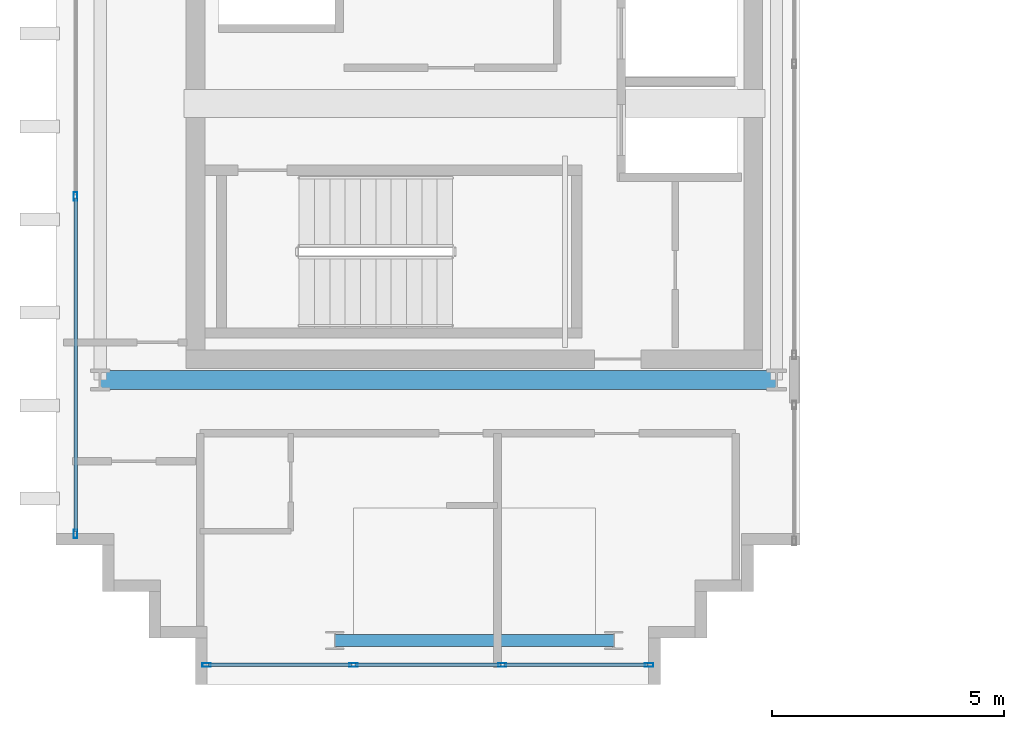
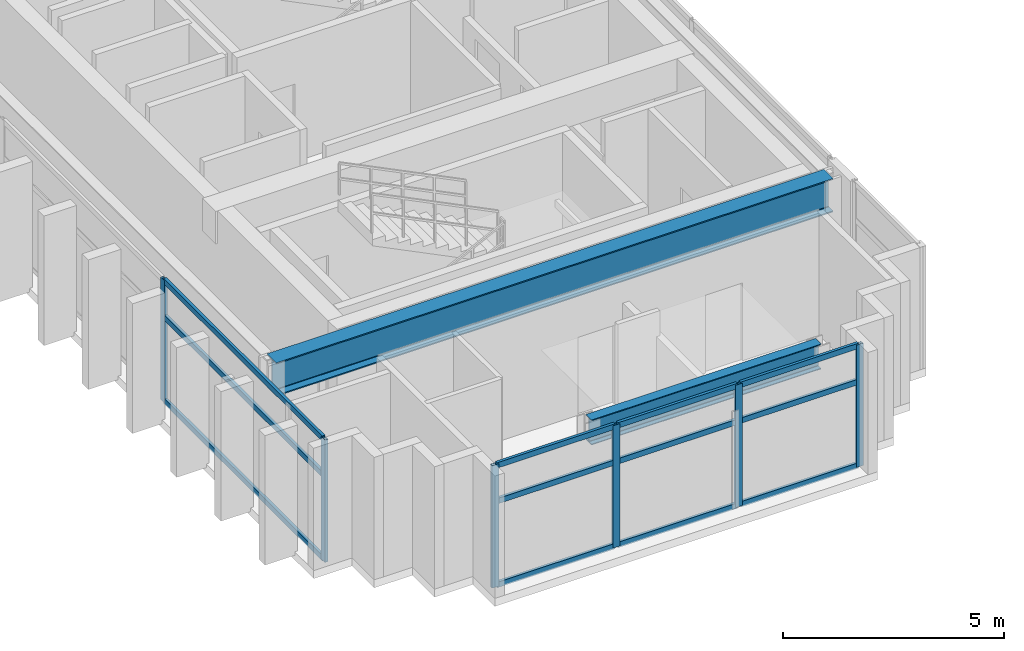
# One storey, part 2 of 25: 18 members, 2 beams, 2 elements without a shape of their own.
"""IFC4 building model written with IfcOpenShell, lengths in metres."""

from ifc_helpers import new_model, si_unit, direction, frame, origin, origin_2d, place, context, subcontext, project, spatial, hollow_rectangle, i_section, extrude, source, transform, mapped, material, layer, layer_set, material_profile, profile_set, type_object, element, aggregate, save


model = new_model("IFC4")

# Units and contexts
model_context = context("Model", 3, precision=1e-05, world=origin(), true_north=direction((0.0, 1.0)))
body_context = subcontext(model_context, "Body", "Model", "MODEL_VIEW")
ifc_project = project(units=[si_unit("LENGTHUNIT", "METRE"), si_unit("AREAUNIT", "SQUARE_METRE"), si_unit("VOLUMEUNIT", "CUBIC_METRE"), si_unit("PLANEANGLEUNIT", "RADIAN"), si_unit("MASSUNIT", "GRAM", prefix="KILO")], contexts=[model_context])

# Site, building, storey
site_placement = place(None, origin())
site = spatial("IfcSite", under=ifc_project, at=site_placement, CompositionType="ELEMENT")
building_placement = place(site_placement, origin())
building = spatial("IfcBuilding", under=site, at=building_placement, Name="Ocotamira Hotel", CompositionType="ELEMENT")
storey_placement = place(building_placement, frame((0.0, 0.0, 261.60009765625)))
storey = spatial("IfcBuildingStorey", under=building, at=storey_placement, Name="L66", CompositionType="ELEMENT", Elevation=261.60009765625)

# Beams
ifc_material_1 = material(Name="Steel ASTM A992 Grade 50", Category="steel")
ifc_material_profile_1 = material_profile(ifc_material_1, i_section(OverallWidth=0.41796875, OverallDepth=0.927001953125, WebThickness=0.019287109375, FlangeThickness=0.031982421875, FilletRadius=0.02392578125, at=origin_2d()), Name="W36X231")
ifc_profile_set_1 = profile_set([ifc_material_profile_1], Name="Steel ASTM A992 Grade 50")
beam_type_1 = type_object("IfcBeamType", Name="BM-GIRD-W36X231", PredefinedType="BEAM", material=ifc_profile_set_1)
shared_shape_1 = source(origin(), body_context, "Body", "SweptSolid", [
    extrude(i_section(OverallWidth=0.41796875, OverallDepth=0.927001953125, WebThickness=0.019287109375, FlangeThickness=0.031982421875, FilletRadius=0.02392578125, at=origin_2d()), origin(), (0.0, 0.0, 1.0), 14.550048828125),
])
beam_1_placement = place(storey_placement, frame((8.949951171875, 14.550048828125, 2.91650390625), z_axis=(1.0, 0.0, 0.0), x_axis=(0.0, 1.0, 0.0)))
element("IfcBeam", 1, at=beam_1_placement, inside=storey, type_object=beam_type_1, Name="L66 Girder Y14.55 X8.95-23.5", PredefinedType="BEAM", context=body_context, shape_type="MappedRepresentation", body=[
    mapped(shared_shape_1, transform((0.0, 0.0, 0.0), scale=1.0)),
])
ifc_material_profile_2 = material_profile(ifc_material_1, i_section(OverallWidth=0.256103515625, OverallDepth=0.693115234375, WebThickness=0.014404296875, FlangeThickness=0.023681640625, FilletRadius=0.01611328125, at=origin_2d()), Name="W27X114")
ifc_profile_set_2 = profile_set([ifc_material_profile_2], Name="Steel ASTM A992 Grade 50")
beam_type_2 = type_object("IfcBeamType", Name="BM-PRIM-W27X114", PredefinedType="BEAM", material=ifc_profile_set_2)
shared_shape_2 = source(origin(), body_context, "Body", "SweptSolid", [
    extrude(i_section(OverallWidth=0.256103515625, OverallDepth=0.693115234375, WebThickness=0.014404296875, FlangeThickness=0.023681640625, FilletRadius=0.01611328125, at=origin_2d()), origin(), (0.0, 0.0, 1.0), 6.0),
])
beam_2_placement = place(storey_placement, frame((14.0, 8.949951171875, 3.033447265625), z_axis=(1.0, 0.0, 0.0), x_axis=(0.0, 1.0, 0.0)))
element("IfcBeam", 2, at=beam_2_placement, inside=storey, type_object=beam_type_2, Name="L66 Girder Y8.95 X14-20", PredefinedType="BEAM", context=body_context, shape_type="MappedRepresentation", body=[
    mapped(shared_shape_2, transform((0.0, 0.0, 0.0), scale=1.0)),
])

# Curtain wall, members
ifc_material_2 = material(Name="Anodised pale-metal aluminium and solar glass", Category="aluminium")
ifc_layer = layer(ifc_material_2, 0.2099609375)
ifc_layer_set = layer_set([ifc_layer], Name="Anodised pale-metal aluminium and solar glass")
curtain_wall_type = type_object("IfcCurtainWallType", Name="CW-SYS7-PEAK", PredefinedType="NOTDEFINED", material=ifc_layer_set)
curtain_wall_1_placement = place(storey_placement, origin())
curtain_wall_1 = element("IfcCurtainWall", 3, at=curtain_wall_1_placement, inside=storey, type_object=curtain_wall_type, Name="L66 Curtain Wall CW-7 CW-L66-WS", PredefinedType="NOTDEFINED")
ifc_material_3 = material(Name="Anodised pale-metal aluminium 6063-T6", Category="aluminium")
ifc_material_profile_3 = material_profile(ifc_material_3, hollow_rectangle(XDim=0.080078125, YDim=0.179931640625, WallThickness=0.006103515625, at=origin_2d()), Name="HSS180X80X6")
ifc_profile_set_3 = profile_set([ifc_material_profile_3], Name="Anodised pale-metal aluminium 6063-T6")
member_type_1 = type_object("IfcMemberType", Name="CWM-180X75", PredefinedType="MULLION", material=ifc_profile_set_3)
shared_shape_3 = source(origin(), body_context, "Body", "SweptSolid", [
    extrude(hollow_rectangle(XDim=0.080078125, YDim=0.179931640625, WallThickness=0.006103515625, at=origin_2d()), origin(), (0.0, 0.0, 1.0), 3.3798828125),
])
member_1_placement = place(storey_placement, frame((11.239990234375, 8.419921875, 0.0), z_axis=(0.0, 0.0, 1.0), x_axis=(0.0, 1.0, 0.0)))
member_1 = element("IfcMember", 4, at=member_1_placement, type_object=member_type_1, Name="CW-7 mullion 1", PredefinedType="MULLION", context=body_context, shape_type="MappedRepresentation", body=[
    mapped(shared_shape_3, transform((0.0, 0.0, 0.0), scale=1.0)),
])
member_2_placement = place(storey_placement, frame((14.39990234375, 8.419921875, 0.0), z_axis=(0.0, 0.0, 1.0), x_axis=(0.0, 1.0, 0.0)))
member_2 = element("IfcMember", 5, at=member_2_placement, type_object=member_type_1, Name="CW-7 mullion 2", PredefinedType="MULLION", context=body_context, shape_type="MappedRepresentation", body=[
    mapped(shared_shape_3, transform((0.0, 0.0, 0.0), scale=1.0)),
])
member_3_placement = place(storey_placement, frame((17.60009765625, 8.419921875, 0.0), z_axis=(0.0, 0.0, 1.0), x_axis=(0.0, 1.0, 0.0)))
member_3 = element("IfcMember", 6, at=member_3_placement, type_object=member_type_1, Name="CW-7 mullion 3", PredefinedType="MULLION", context=body_context, shape_type="MappedRepresentation", body=[
    mapped(shared_shape_3, transform((0.0, 0.0, 0.0), scale=1.0)),
])
member_4_placement = place(storey_placement, frame((20.760009765625, 8.419921875, 0.0), z_axis=(0.0, 0.0, 1.0), x_axis=(0.0, 1.0, 0.0)))
member_4 = element("IfcMember", 7, at=member_4_placement, type_object=member_type_1, Name="CW-7 mullion 4", PredefinedType="MULLION", context=body_context, shape_type="MappedRepresentation", body=[
    mapped(shared_shape_3, transform((0.0, 0.0, 0.0), scale=1.0)),
])

curtain_wall_2_placement = place(storey_placement, origin())
curtain_wall_2 = element("IfcCurtainWall", 8, at=curtain_wall_2_placement, inside=storey, type_object=curtain_wall_type, Name="L66 Curtain Wall CW-7 CW-L66-WO1", PredefinedType="NOTDEFINED")
member_5_placement = place(storey_placement, frame((8.419921875, 11.239990234375, 0.0), z_axis=(0.0, 0.0, 1.0), x_axis=(-1.0, 0.0, 0.0)))
member_5 = element("IfcMember", 9, at=member_5_placement, type_object=member_type_1, Name="CW-7 mullion 1", PredefinedType="MULLION", context=body_context, shape_type="MappedRepresentation", body=[
    mapped(shared_shape_3, transform((0.0, 0.0, 0.0), scale=1.0)),
])
member_6_placement = place(storey_placement, frame((8.419921875, 18.5, 0.0), z_axis=(0.0, 0.0, 1.0), x_axis=(-1.0, 0.0, 0.0)))
member_6 = element("IfcMember", 10, at=member_6_placement, type_object=member_type_1, Name="CW-7 mullion 2", PredefinedType="MULLION", context=body_context, shape_type="MappedRepresentation", body=[
    mapped(shared_shape_3, transform((0.0, 0.0, 0.0), scale=1.0)),
])

# Member
ifc_material_profile_4 = material_profile(ifc_material_3, hollow_rectangle(XDim=0.074951171875, YDim=0.14990234375, WallThickness=0.006103515625, at=origin_2d()), Name="HSS150X75X6")
ifc_profile_set_4 = profile_set([ifc_material_profile_4], Name="Anodised pale-metal aluminium 6063-T6")
member_type_2 = type_object("IfcMemberType", Name="CWT-150X75", PredefinedType="USERDEFINED", material=ifc_profile_set_4)
shared_shape_4 = source(origin(), body_context, "Body", "SweptSolid", [
    extrude(hollow_rectangle(XDim=0.074951171875, YDim=0.14990234375, WallThickness=0.006103515625, at=origin_2d()), origin(), (0.0, 0.0, 1.0), 3.080078125),
])
member_7_placement = place(storey_placement, frame((11.280029296875, 8.419921875, 0.037353515625), z_axis=(1.0, 0.0, 0.0), x_axis=(0.0, 1.0, 0.0)))
member_7 = element("IfcMember", 11, at=member_7_placement, type_object=member_type_2, Name="CW-7 transom 1.1", ObjectType="TRANSOM", PredefinedType="USERDEFINED", context=body_context, shape_type="MappedRepresentation", body=[
    mapped(shared_shape_4, transform((0.0, 0.0, 0.0), scale=1.0)),
])

member_8_placement = place(storey_placement, frame((11.280029296875, 8.419921875, 2.349853515625), z_axis=(1.0, 0.0, 0.0), x_axis=(0.0, 1.0, 0.0)))
member_8 = element("IfcMember", 12, at=member_8_placement, type_object=member_type_2, Name="CW-7 transom 1.2", ObjectType="TRANSOM", PredefinedType="USERDEFINED", context=body_context, shape_type="MappedRepresentation", body=[
    mapped(shared_shape_4, transform((0.0, 0.0, 0.0), scale=1.0)),
])

member_9_placement = place(storey_placement, frame((11.280029296875, 8.419921875, 3.34228515625), z_axis=(1.0, 0.0, 0.0), x_axis=(0.0, 1.0, 0.0)))
member_9 = element("IfcMember", 13, at=member_9_placement, type_object=member_type_2, Name="CW-7 transom 1.3", ObjectType="TRANSOM", PredefinedType="USERDEFINED", context=body_context, shape_type="MappedRepresentation", body=[
    mapped(shared_shape_4, transform((0.0, 0.0, 0.0), scale=1.0)),
])

member_10_placement = place(storey_placement, frame((17.639892578125, 8.419921875, 0.037353515625), z_axis=(1.0, 0.0, 0.0), x_axis=(0.0, 1.0, 0.0)))
member_10 = element("IfcMember", 14, at=member_10_placement, type_object=member_type_2, Name="CW-7 transom 3.1", ObjectType="TRANSOM", PredefinedType="USERDEFINED", context=body_context, shape_type="MappedRepresentation", body=[
    mapped(shared_shape_4, transform((0.0, 0.0, 0.0), scale=1.0)),
])

member_11_placement = place(storey_placement, frame((17.639892578125, 8.419921875, 2.349853515625), z_axis=(1.0, 0.0, 0.0), x_axis=(0.0, 1.0, 0.0)))
member_11 = element("IfcMember", 15, at=member_11_placement, type_object=member_type_2, Name="CW-7 transom 3.2", ObjectType="TRANSOM", PredefinedType="USERDEFINED", context=body_context, shape_type="MappedRepresentation", body=[
    mapped(shared_shape_4, transform((0.0, 0.0, 0.0), scale=1.0)),
])

member_12_placement = place(storey_placement, frame((17.639892578125, 8.419921875, 3.34228515625), z_axis=(1.0, 0.0, 0.0), x_axis=(0.0, 1.0, 0.0)))
member_12 = element("IfcMember", 16, at=member_12_placement, type_object=member_type_2, Name="CW-7 transom 3.3", ObjectType="TRANSOM", PredefinedType="USERDEFINED", context=body_context, shape_type="MappedRepresentation", body=[
    mapped(shared_shape_4, transform((0.0, 0.0, 0.0), scale=1.0)),
])

shared_shape_5 = source(origin(), body_context, "Body", "SweptSolid", [
    extrude(hollow_rectangle(XDim=0.074951171875, YDim=0.14990234375, WallThickness=0.006103515625, at=origin_2d()), origin(), (0.0, 0.0, 1.0), 3.1201171875),
])
member_13_placement = place(storey_placement, frame((14.43994140625, 8.419921875, 0.037353515625), z_axis=(1.0, 0.0, 0.0), x_axis=(0.0, 1.0, 0.0)))
member_13 = element("IfcMember", 17, at=member_13_placement, type_object=member_type_2, Name="CW-7 transom 2.1", ObjectType="TRANSOM", PredefinedType="USERDEFINED", context=body_context, shape_type="MappedRepresentation", body=[
    mapped(shared_shape_5, transform((0.0, 0.0, 0.0), scale=1.0)),
])

member_14_placement = place(storey_placement, frame((14.43994140625, 8.419921875, 2.349853515625), z_axis=(1.0, 0.0, 0.0), x_axis=(0.0, 1.0, 0.0)))
member_14 = element("IfcMember", 18, at=member_14_placement, type_object=member_type_2, Name="CW-7 transom 2.2", ObjectType="TRANSOM", PredefinedType="USERDEFINED", context=body_context, shape_type="MappedRepresentation", body=[
    mapped(shared_shape_5, transform((0.0, 0.0, 0.0), scale=1.0)),
])

member_15_placement = place(storey_placement, frame((14.43994140625, 8.419921875, 3.34228515625), z_axis=(1.0, 0.0, 0.0), x_axis=(0.0, 1.0, 0.0)))
member_15 = element("IfcMember", 19, at=member_15_placement, type_object=member_type_2, Name="CW-7 transom 2.3", ObjectType="TRANSOM", PredefinedType="USERDEFINED", context=body_context, shape_type="MappedRepresentation", body=[
    mapped(shared_shape_5, transform((0.0, 0.0, 0.0), scale=1.0)),
])

aggregate(curtain_wall_1, [member_1, member_2, member_3, member_4, member_7, member_8, member_9, member_13, member_14, member_15, member_10, member_11, member_12])

shared_shape_6 = source(origin(), body_context, "Body", "SweptSolid", [
    extrude(hollow_rectangle(XDim=0.074951171875, YDim=0.14990234375, WallThickness=0.006103515625, at=origin_2d()), origin(), (0.0, 0.0, 1.0), 7.179931640625),
])
member_16_placement = place(storey_placement, frame((8.419921875, 11.280029296875, 0.037353515625), z_axis=(0.0, 1.0, 0.0), x_axis=(-1.0, 0.0, 0.0)))
member_16 = element("IfcMember", 20, at=member_16_placement, type_object=member_type_2, Name="CW-7 transom 1.1", ObjectType="TRANSOM", PredefinedType="USERDEFINED", context=body_context, shape_type="MappedRepresentation", body=[
    mapped(shared_shape_6, transform((0.0, 0.0, 0.0), scale=1.0)),
])

member_17_placement = place(storey_placement, frame((8.419921875, 11.280029296875, 2.349853515625), z_axis=(0.0, 1.0, 0.0), x_axis=(-1.0, 0.0, 0.0)))
member_17 = element("IfcMember", 21, at=member_17_placement, type_object=member_type_2, Name="CW-7 transom 1.2", ObjectType="TRANSOM", PredefinedType="USERDEFINED", context=body_context, shape_type="MappedRepresentation", body=[
    mapped(shared_shape_6, transform((0.0, 0.0, 0.0), scale=1.0)),
])

member_18_placement = place(storey_placement, frame((8.419921875, 11.280029296875, 3.34228515625), z_axis=(0.0, 1.0, 0.0), x_axis=(-1.0, 0.0, 0.0)))
member_18 = element("IfcMember", 22, at=member_18_placement, type_object=member_type_2, Name="CW-7 transom 1.3", ObjectType="TRANSOM", PredefinedType="USERDEFINED", context=body_context, shape_type="MappedRepresentation", body=[
    mapped(shared_shape_6, transform((0.0, 0.0, 0.0), scale=1.0)),
])

aggregate(curtain_wall_2, [member_5, member_6, member_16, member_17, member_18])

save(model, "model.ifc")
